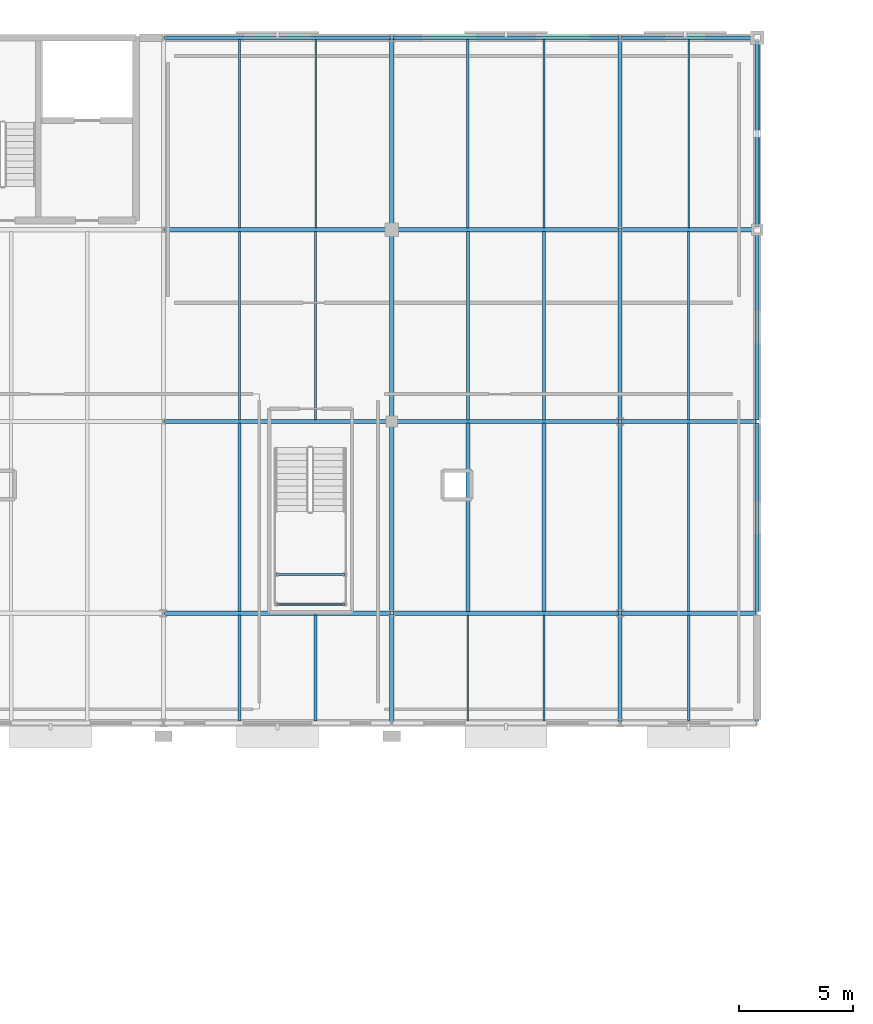
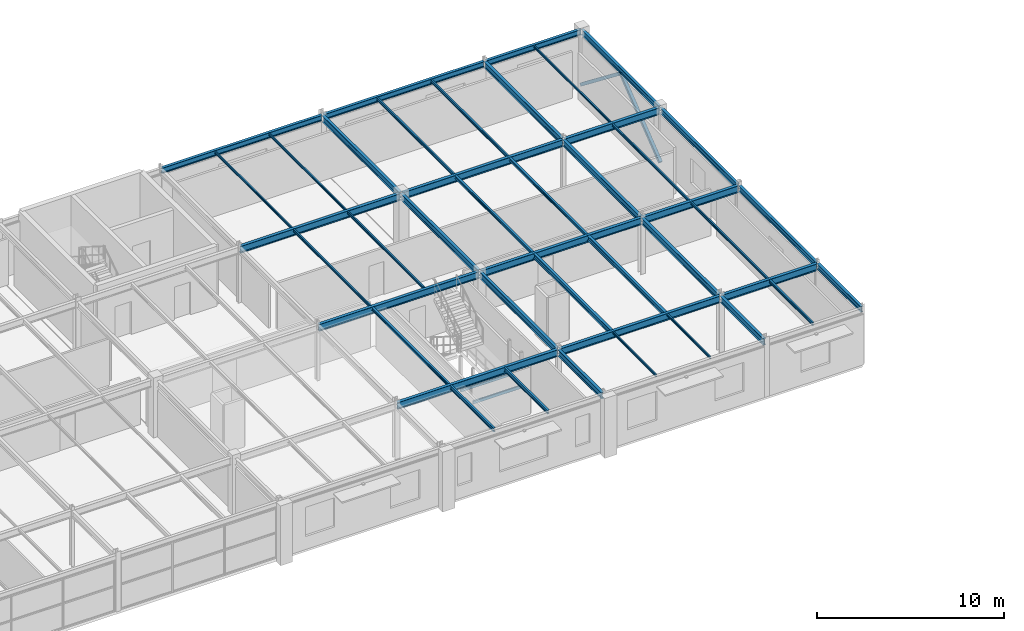
# One storey, part 63 of 98: 45 beams, 2 members.
"""IFC4 building model written with IfcOpenShell, lengths in metres."""

import ifcopenshell
import ifcopenshell.guid

model = None  # the IFC model being written
_history = None  # IfcOwnerHistory: only IFC2X3 demands one
_inside = {}  # id of a spatial element -> (the spatial element, [elements in it])
_under = {}  # id of a project, library or spatial element -> (it, [spatial elements below it])
_declared = {}  # id of a project -> (the project, [libraries it declares])
_typed = {}  # id of a type object -> (the type object, [elements of that type])
_made_of = {}  # id of a material, layer set ... -> (it, [elements and type objects made of it])


def new_model(schema):
    """Start an empty IFC model of exactly this schema.

    Asked for "IFC4X3", IfcOpenShell would pick the latest addendum, in which some entities
    have other attributes; the version numbers below select the first issue.
    IFC2X3 requires an IfcOwnerHistory on every rooted entity: one is made here for all.
    """
    global model, _history
    if schema == "IFC4X3":
        model = ifcopenshell.file(schema_version=(4, 3, 0, 0))
    else:
        model = ifcopenshell.file(schema=schema)
    _inside.clear()
    _under.clear()
    _declared.clear()
    _typed.clear()
    _made_of.clear()
    _history = None
    if model.schema == "IFC2X3":
        org = make("IfcOrganization", Name="unknown")
        user = make(
            "IfcPersonAndOrganization",
            ThePerson=make("IfcPerson", FamilyName="unknown"),
            TheOrganization=org,
        )
        app = make(
            "IfcApplication",
            ApplicationDeveloper=org,
            Version="unknown",
            ApplicationFullName="unknown",
            ApplicationIdentifier="unknown",
        )
        _history = make(
            "IfcOwnerHistory",
            OwningUser=user,
            OwningApplication=app,
            ChangeAction="ADDED",
            CreationDate=0,
        )
    return model


def make(cls, **values):
    """One entity of the class cls with the attributes given. An attribute that is None is left unset."""
    return model.create_entity(
        cls, **{name: value for name, value in values.items() if value is not None}
    )


def rooted(cls, **values):
    """An entity with a GlobalId (a new one), such as an element, a storey or a relation."""
    return make(cls, GlobalId=ifcopenshell.guid.new(), OwnerHistory=_history, **values)


def si_unit(unit_type, name, prefix=None):
    """IfcSIUnit, for example si_unit("LENGTHUNIT", "METRE", prefix="MILLI")."""
    return make("IfcSIUnit", UnitType=unit_type, Prefix=prefix, Name=name)


def derived_unit(unit_type, elements):
    """IfcDerivedUnit: a product of units, each with its exponent."""
    return make(
        "IfcDerivedUnit",
        Elements=[
            make("IfcDerivedUnitElement", Unit=unit, Exponent=power)
            for unit, power in elements
        ],
        UnitType=unit_type,
    )


def assignment(units):
    """IfcUnitAssignment: the units of a project."""
    return None if units is None else make("IfcUnitAssignment", Units=units)


def point(xyz):
    """IfcCartesianPoint."""
    return None if xyz is None else make("IfcCartesianPoint", Coordinates=xyz)


def direction(xyz):
    """IfcDirection."""
    return None if xyz is None else make("IfcDirection", DirectionRatios=xyz)


def frame(location, z_axis=None, x_axis=None):
    """IfcAxis2Placement3D, a coordinate frame: its origin and axes. An axis left out is left unset."""
    return make(
        "IfcAxis2Placement3D",
        Location=point(location),
        Axis=direction(z_axis),
        RefDirection=direction(x_axis),
    )


def frame_2d(location, x_axis=None):
    """IfcAxis2Placement2D, a coordinate frame in the plane: its origin and x axis."""
    return make(
        "IfcAxis2Placement2D", Location=point(location), RefDirection=direction(x_axis)
    )


def origin():
    """The frame at (0, 0, 0) with its axes left unset."""
    return frame((0.0, 0.0, 0.0))


def origin_2d_with_axis():
    """The frame at (0, 0) in the plane with the x axis (1, 0) written out."""
    return frame_2d((0.0, 0.0), x_axis=(1.0, 0.0))


def place(relative_to, where):
    """IfcLocalPlacement: puts the frame where relative to a parent placement (None: the world)."""
    return make(
        "IfcLocalPlacement", PlacementRelTo=relative_to, RelativePlacement=where
    )


def context(
    kind, dimensions, precision=None, world=None, true_north=None, identifier=None
):
    """IfcGeometricRepresentationContext, for example the 3D "Model" context."""
    return make(
        "IfcGeometricRepresentationContext",
        ContextIdentifier=identifier,
        ContextType=kind,
        CoordinateSpaceDimension=dimensions,
        Precision=precision,
        WorldCoordinateSystem=world,
        TrueNorth=true_north,
    )


def subcontext(parent, identifier, kind, view, scale=None):
    """IfcGeometricRepresentationSubContext, for example "Body" below "Model"."""
    return make(
        "IfcGeometricRepresentationSubContext",
        ContextIdentifier=identifier,
        ContextType=kind,
        ParentContext=parent,
        TargetScale=scale,
        TargetView=view,
    )


def project(units=None, contexts=None):
    """IfcProject with its units and contexts."""
    return rooted(
        "IfcProject",
        Name="project",
        RepresentationContexts=contexts,
        UnitsInContext=assignment(units),
    )


def spatial(cls, under=None, at=None, **own):
    """A site, building, storey or space (cls), placed at a placement, below another one or the project."""
    s = rooted(cls, ObjectPlacement=at, **own)
    if under is not None:
        _under.setdefault(under.id(), (under, []))[1].append(s)
    return s


def profile(cls, at=None, kind="AREA", **sizes):
    """A parametric profile (cls). Its sizes go by their IFC names, for example OverallWidth=200.0."""
    return make(cls, ProfileType=kind, Position=at, **sizes)


def hollow_rectangle(**sizes):
    """IfcRectangleHollowProfileDef."""
    return profile("IfcRectangleHollowProfileDef", **sizes)


def i_section(**sizes):
    """IfcIShapeProfileDef."""
    return profile("IfcIShapeProfileDef", **sizes)


def extrude(swept, where, along, depth):
    """IfcExtrudedAreaSolid: the profile swept, set in the frame where, extruded along a direction by depth."""
    return make(
        "IfcExtrudedAreaSolid",
        SweptArea=swept,
        Position=where,
        ExtrudedDirection=direction(along),
        Depth=depth,
    )


def shape(context_of_items, identifier, shape_type, items):
    """IfcShapeRepresentation: the items that make up one representation, for example the "Body"."""
    return make(
        "IfcShapeRepresentation",
        ContextOfItems=context_of_items,
        RepresentationIdentifier=identifier,
        RepresentationType=shape_type,
        Items=items,
    )


def material(Name=None, Category=None):
    """IfcMaterial."""
    return make("IfcMaterial", Name=Name, Category=Category)


def material_profile(
    of_material, cross_section, Name=None, Category=None, Priority=None
):
    """IfcMaterialProfile: a cross section and its material."""
    return make(
        "IfcMaterialProfile",
        Name=Name,
        Material=of_material,
        Profile=cross_section,
        Priority=Priority,
        Category=Category,
    )


def profile_set(profiles, Name=None, composite=None):
    """IfcMaterialProfileSet."""
    return make(
        "IfcMaterialProfileSet",
        Name=Name,
        MaterialProfiles=profiles,
        CompositeProfile=composite,
    )


def made_of(thing, what):
    """Note that an element or type object is made of a material, layer set ...; save() writes the relation."""
    if what is not None:
        _made_of.setdefault(what.id(), (what, []))[1].append(thing)
    return thing


def type_object(cls, material=None, **own):
    """A type object (cls), such as IfcWallType, which elements share."""
    return made_of(rooted(cls, **own), material)


def element(
    cls,
    number,
    at=None,
    inside=None,
    cuts=None,
    type_object=None,
    material=None,
    context=None,
    identifier="Body",
    shape_type=None,
    held_by="IfcProductDefinitionShape",
    body=None,
    shapes=None,
    **own,
):
    """One element of the class cls, such as IfcWall. Its Tag is "e" and its number.

    at: its placement. inside: the storey or other place that contains it. cuts: it is an
    opening in that element (IfcRelVoidsElement). A single representation is given by context,
    identifier, shape_type and body (its items); several are given by shapes. held_by: the class
    of the entity that holds the representations. save() writes the other relations.
    """
    e = rooted(cls, Tag="e%d" % number, ObjectPlacement=at, **own)
    if body is not None:
        shapes = [shape(context, identifier, shape_type, body)]
    if shapes is not None:
        e.Representation = make(held_by, Representations=shapes)
    if inside is not None:
        _inside.setdefault(inside.id(), (inside, []))[1].append(e)
    if cuts is not None:
        rooted(
            "IfcRelVoidsElement", RelatingBuildingElement=cuts, RelatedOpeningElement=e
        )
    if type_object is not None:
        _typed.setdefault(type_object.id(), (type_object, []))[1].append(e)
    return made_of(e, material)


def aggregate(whole, parts):
    """IfcRelAggregates: a whole, such as a stair, and the parts it consists of."""
    return rooted("IfcRelAggregates", RelatingObject=whole, RelatedObjects=parts)


def save(model, path):
    """Write the relations noted so far, then the file.

    IfcRelAggregates (storeys below a building ...), IfcRelContainedInSpatialStructure (elements
    in a storey), IfcRelDefinesByType, IfcRelAssociatesMaterial and IfcRelDeclares: one each for
    every whole, place, type object, material and project.
    """
    for whole, parts in _under.values():
        aggregate(whole, parts)
    for where, things in _inside.values():
        rooted(
            "IfcRelContainedInSpatialStructure",
            RelatedElements=things,
            RelatingStructure=where,
        )
    for kind, things in _typed.values():
        rooted("IfcRelDefinesByType", RelatedObjects=things, RelatingType=kind)
    for what, things in _made_of.values():
        rooted("IfcRelAssociatesMaterial", RelatedObjects=things, RelatingMaterial=what)
    for by, libraries in _declared.values():
        rooted("IfcRelDeclares", RelatingContext=by, RelatedDefinitions=libraries)
    model.write(path)


model = new_model("IFC4")

# Units and contexts
model_context = context("Model", 3, precision=1e-05, world=origin(), true_north=direction((0.0, 1.0)))
body_context = subcontext(model_context, "Body", "Model", "MODEL_VIEW")
ifc_project = project(units=[si_unit("LENGTHUNIT", "METRE"), si_unit("AREAUNIT", "SQUARE_METRE"), si_unit("VOLUMEUNIT", "CUBIC_METRE"), si_unit("PLANEANGLEUNIT", "RADIAN"), si_unit("MASSUNIT", "GRAM", prefix="KILO"), derived_unit("THERMALTRANSMITTANCEUNIT", [(si_unit("POWERUNIT", "WATT"), 1), (si_unit("LENGTHUNIT", "METRE"), -2), (si_unit("THERMODYNAMICTEMPERATUREUNIT", "KELVIN"), -1)])], contexts=[model_context])

# Site, building, storey
site_placement = place(None, origin())
site = spatial("IfcSite", under=ifc_project, at=site_placement, CompositionType="ELEMENT")
building_placement = place(site_placement, origin())
building = spatial("IfcBuilding", under=site, at=building_placement, Name="Cinnabar Yard Market Hall", CompositionType="ELEMENT")
storey_placement = place(building_placement, frame((0.0, 0.0, 4.5)))
storey = spatial("IfcBuildingStorey", under=building, at=storey_placement, Name="L01", CompositionType="ELEMENT", Elevation=4.5)

# Beams
ifc_material_1 = material(Name="Steel Grade 300 (300 MPa)", Category="steel")
ifc_material_profile_1 = material_profile(ifc_material_1, i_section(OverallWidth=0.18994140625, OverallDepth=0.453857421875, WebThickness=0.008544921875, FlangeThickness=0.0126953125, FilletRadius=0.011474609375, at=origin_2d_with_axis()), Name="460UB67.1")
ifc_profile_set_1 = profile_set([ifc_material_profile_1], Name="Steel Grade 300 (300 MPa)")
beam_type_1 = type_object("IfcBeamType", Name="BM-B05", PredefinedType="BEAM", material=ifc_profile_set_1)
for number, where, z_axis, x_axis, name in (
    (1, (136.06005859375, 112.800048828125, 3.423095703125), (1.0, 0.0, 0.0), (0.0, 1.0, 0.0), "V3 L01 Girder X 01059"),
    (2, (136.06005859375, 121.199951171875, 3.423095703125), (1.0, 0.0, 0.0), (0.0, 1.0, 0.0), "V3 L01 Girder X 01060"),
    (3, (136.06005859375, 129.60009765625, 3.423095703125), (1.0, 0.0, 0.0), (0.0, 1.0, 0.0), "V3 L01 Girder X 01061"),
    (4, (146.06005859375, 112.800048828125, 3.423095703125), (1.0, 0.0, 0.0), (0.0, 1.0, 0.0), "V3 L01 Girder X 01064"),
    (5, (146.06005859375, 121.199951171875, 3.423095703125), (1.0, 0.0, 0.0), (0.0, 1.0, 0.0), "V3 L01 Girder X 01065"),
    (6, (146.06005859375, 129.60009765625, 3.423095703125), (1.0, 0.0, 0.0), (0.0, 1.0, 0.0), "V3 L01 Girder X 01066"),
):
    element("IfcBeam", number, at=place(storey_placement, frame(where, z_axis=z_axis, x_axis=x_axis)), inside=storey, type_object=beam_type_1, Name=name, PredefinedType="BEAM", context=body_context, shape_type="SweptSolid", body=[
        extrude(i_section(OverallWidth=0.18994140625, OverallDepth=0.453857421875, WebThickness=0.008544921875, FlangeThickness=0.0126953125, FilletRadius=0.011474609375, at=origin_2d_with_axis()), origin(), (0.0, 0.0, 1.0), 9.8798828125),
    ])
for number, where, z_axis, x_axis, name in (
    (7, (156.06005859375, 112.800048828125, 3.423095703125), (1.0, 0.0, 0.0), (0.0, 1.0, 0.0), "V3 L01 Girder X 01069"),
    (8, (156.06005859375, 121.199951171875, 3.423095703125), (1.0, 0.0, 0.0), (0.0, 1.0, 0.0), "V3 L01 Girder X 01070"),
    (9, (156.06005859375, 129.60009765625, 3.423095703125), (1.0, 0.0, 0.0), (0.0, 1.0, 0.0), "V3 L01 Girder X 01071"),
):
    element("IfcBeam", number, at=place(storey_placement, frame(where, z_axis=z_axis, x_axis=x_axis)), inside=storey, type_object=beam_type_1, Name=name, PredefinedType="BEAM", context=body_context, shape_type="SweptSolid", body=[
        extrude(i_section(OverallWidth=0.18994140625, OverallDepth=0.453857421875, WebThickness=0.008544921875, FlangeThickness=0.0126953125, FilletRadius=0.011474609375, at=origin_2d_with_axis()), origin(), (0.0, 0.0, 1.0), 5.8798828125),
    ])
ifc_material_profile_2 = material_profile(ifc_material_1, i_section(OverallWidth=0.177978515625, OverallDepth=0.406494140625, WebThickness=0.0078125, FlangeThickness=0.0126953125, FilletRadius=0.011474609375, at=origin_2d_with_axis()), Name="410UB59.7")
ifc_profile_set_2 = profile_set([ifc_material_profile_2], Name="Steel Grade 300 (300 MPa)")
beam_type_2 = type_object("IfcBeamType", Name="BM-B06", PredefinedType="BEAM", material=ifc_profile_set_2)
beam_1_placement = place(storey_placement, frame((146.0, 108.06005859375, 3.44677734375), z_axis=(0.0, 1.0, 0.0), x_axis=(-1.0, 0.0, 0.0)))
element("IfcBeam", 10, at=beam_1_placement, inside=storey, type_object=beam_type_2, Name="V3 L01 Girder Y 01105", PredefinedType="BEAM", context=body_context, shape_type="SweptSolid", body=[
    extrude(i_section(OverallWidth=0.177978515625, OverallDepth=0.406494140625, WebThickness=0.0078125, FlangeThickness=0.0126953125, FilletRadius=0.011474609375, at=origin_2d_with_axis()), origin(), (0.0, 0.0, 1.0), 4.679931640625),
])
beam_2_placement = place(storey_placement, frame((146.0, 112.860107421875, 3.44677734375), z_axis=(0.0, 1.0, 0.0), x_axis=(-1.0, 0.0, 0.0)))
element("IfcBeam", 11, at=beam_2_placement, inside=storey, type_object=beam_type_2, Name="V3 L01 Girder Y 01106", PredefinedType="BEAM", context=body_context, shape_type="SweptSolid", body=[
    extrude(i_section(OverallWidth=0.177978515625, OverallDepth=0.406494140625, WebThickness=0.0078125, FlangeThickness=0.0126953125, FilletRadius=0.011474609375, at=origin_2d_with_axis()), origin(), (0.0, 0.0, 1.0), 8.27978515625),
])
for number, where, z_axis, x_axis, name in (
    (12, (146.0, 121.260009765625, 3.44677734375), (0.0, 1.0, 0.0), (-1.0, 0.0, 0.0), "V3 L01 Girder Y 01107"),
    (13, (146.0, 129.659912109375, 3.44677734375), (0.0, 1.0, 0.0), (-1.0, 0.0, 0.0), "V3 L01 Girder Y 01108"),
):
    element("IfcBeam", number, at=place(storey_placement, frame(where, z_axis=z_axis, x_axis=x_axis)), inside=storey, type_object=beam_type_2, Name=name, PredefinedType="BEAM", context=body_context, shape_type="SweptSolid", body=[
        extrude(i_section(OverallWidth=0.177978515625, OverallDepth=0.406494140625, WebThickness=0.0078125, FlangeThickness=0.0126953125, FilletRadius=0.011474609375, at=origin_2d_with_axis()), origin(), (0.0, 0.0, 1.0), 8.280029296875),
    ])
beam_3_placement = place(storey_placement, frame((156.0, 108.06005859375, 3.44677734375), z_axis=(0.0, 1.0, 0.0), x_axis=(-1.0, 0.0, 0.0)))
element("IfcBeam", 14, at=beam_3_placement, inside=storey, type_object=beam_type_2, Name="V3 L01 Girder Y 01109", PredefinedType="BEAM", context=body_context, shape_type="SweptSolid", body=[
    extrude(i_section(OverallWidth=0.177978515625, OverallDepth=0.406494140625, WebThickness=0.0078125, FlangeThickness=0.0126953125, FilletRadius=0.011474609375, at=origin_2d_with_axis()), origin(), (0.0, 0.0, 1.0), 4.679931640625),
])
beam_4_placement = place(storey_placement, frame((156.0, 112.860107421875, 3.44677734375), z_axis=(0.0, 1.0, 0.0), x_axis=(-1.0, 0.0, 0.0)))
element("IfcBeam", 15, at=beam_4_placement, inside=storey, type_object=beam_type_2, Name="V3 L01 Girder Y 01110", PredefinedType="BEAM", context=body_context, shape_type="SweptSolid", body=[
    extrude(i_section(OverallWidth=0.177978515625, OverallDepth=0.406494140625, WebThickness=0.0078125, FlangeThickness=0.0126953125, FilletRadius=0.011474609375, at=origin_2d_with_axis()), origin(), (0.0, 0.0, 1.0), 8.27978515625),
])
for number, where, z_axis, x_axis, name in (
    (16, (156.0, 121.260009765625, 3.44677734375), (0.0, 1.0, 0.0), (-1.0, 0.0, 0.0), "V3 L01 Girder Y 01111"),
    (17, (156.0, 129.659912109375, 3.44677734375), (0.0, 1.0, 0.0), (-1.0, 0.0, 0.0), "V3 L01 Girder Y 01112"),
):
    element("IfcBeam", number, at=place(storey_placement, frame(where, z_axis=z_axis, x_axis=x_axis)), inside=storey, type_object=beam_type_2, Name=name, PredefinedType="BEAM", context=body_context, shape_type="SweptSolid", body=[
        extrude(i_section(OverallWidth=0.177978515625, OverallDepth=0.406494140625, WebThickness=0.0078125, FlangeThickness=0.0126953125, FilletRadius=0.011474609375, at=origin_2d_with_axis()), origin(), (0.0, 0.0, 1.0), 8.280029296875),
    ])
ifc_material_profile_3 = material_profile(ifc_material_1, i_section(OverallWidth=0.1240234375, OverallDepth=0.248291015625, WebThickness=0.0048828125, FlangeThickness=0.008056640625, FilletRadius=0.0087890625, at=origin_2d_with_axis()), Name="250UB25.7")
ifc_profile_set_3 = profile_set([ifc_material_profile_3], Name="Steel Grade 300 (300 MPa)")
beam_type_3 = type_object("IfcBeamType", Name="BM-J06", PredefinedType="JOIST", material=ifc_profile_set_3)
for number, where, z_axis, x_axis, name in (
    (18, (139.333251953125, 108.074951171875, 3.52587890625), (0.0, 1.0, 0.0), (-1.0, 0.0, 0.0), "V3 L01 Joist 01168"),
    (19, (142.666748046875, 108.074951171875, 3.52587890625), (0.0, 1.0, 0.0), (-1.0, 0.0, 0.0), "V3 L01 Joist 01172"),
):
    element("IfcBeam", number, at=place(storey_placement, frame(where, z_axis=z_axis, x_axis=x_axis)), inside=storey, type_object=beam_type_3, Name=name, PredefinedType="JOIST", context=body_context, shape_type="SweptSolid", body=[
        extrude(i_section(OverallWidth=0.1240234375, OverallDepth=0.248291015625, WebThickness=0.0048828125, FlangeThickness=0.008056640625, FilletRadius=0.0087890625, at=origin_2d_with_axis()), origin(), (0.0, 0.0, 1.0), 4.650146484375),
    ])
ifc_material_profile_4 = material_profile(ifc_material_1, i_section(OverallWidth=0.133056640625, OverallDepth=0.203125, WebThickness=0.005859375, FlangeThickness=0.0078125, FilletRadius=0.0087890625, at=origin_2d_with_axis()), Name="200UB25.4")
ifc_profile_set_4 = profile_set([ifc_material_profile_4], Name="Steel Grade 300 (300 MPa)")
beam_type_4 = type_object("IfcBeamType", Name="BM-J07", PredefinedType="JOIST", material=ifc_profile_set_4)
beam_5_placement = place(storey_placement, frame((139.333251953125, 112.875, 3.54833984375), z_axis=(0.0, 1.0, 0.0), x_axis=(-1.0, 0.0, 0.0)))
element("IfcBeam", 20, at=beam_5_placement, inside=storey, type_object=beam_type_4, Name="V3 L01 Joist 01169", PredefinedType="JOIST", context=body_context, shape_type="SweptSolid", body=[
    extrude(i_section(OverallWidth=0.133056640625, OverallDepth=0.203125, WebThickness=0.005859375, FlangeThickness=0.0078125, FilletRadius=0.0087890625, at=origin_2d_with_axis()), origin(), (0.0, 0.0, 1.0), 8.25),
])
ifc_material_profile_5 = material_profile(ifc_material_1, i_section(OverallWidth=0.090087890625, OverallDepth=0.178955078125, WebThickness=0.006103515625, FlangeThickness=0.009521484375, FilletRadius=0.0087890625, at=origin_2d_with_axis()), Name="180UB22.2")
ifc_profile_set_5 = profile_set([ifc_material_profile_5], Name="Steel Grade 300 (300 MPa)")
beam_type_5 = type_object("IfcBeamType", Name="BM-J08", PredefinedType="JOIST", material=ifc_profile_set_5)
for number, where, z_axis, x_axis, name in (
    (21, (139.333251953125, 121.27490234375, 3.560546875), (0.0, 1.0, 0.0), (-1.0, 0.0, 0.0), "V3 L01 Joist 01170"),
    (22, (142.666748046875, 121.27490234375, 3.560546875), (0.0, 1.0, 0.0), (-1.0, 0.0, 0.0), "V3 L01 Joist 01173"),
):
    element("IfcBeam", number, at=place(storey_placement, frame(where, z_axis=z_axis, x_axis=x_axis)), inside=storey, type_object=beam_type_5, Name=name, PredefinedType="JOIST", context=body_context, shape_type="SweptSolid", body=[
        extrude(i_section(OverallWidth=0.090087890625, OverallDepth=0.178955078125, WebThickness=0.006103515625, FlangeThickness=0.009521484375, FilletRadius=0.0087890625, at=origin_2d_with_axis()), origin(), (0.0, 0.0, 1.0), 8.25),
    ])
ifc_material_profile_6 = material_profile(ifc_material_1, i_section(OverallWidth=0.074951171875, OverallDepth=0.155029296875, WebThickness=0.006103515625, FlangeThickness=0.009521484375, FilletRadius=0.008056640625, at=origin_2d_with_axis()), Name="150UB18.0")
ifc_profile_set_6 = profile_set([ifc_material_profile_6], Name="Steel Grade 300 (300 MPa)")
beam_type_6 = type_object("IfcBeamType", Name="BM-J09", PredefinedType="JOIST", material=ifc_profile_set_6)
for number, where, z_axis, x_axis, name in (
    (23, (139.333251953125, 129.675048828125, 3.572509765625), (0.0, 1.0, 0.0), (-1.0, 0.0, 0.0), "V3 L01 Joist 01171"),
    (24, (142.666748046875, 129.675048828125, 3.572509765625), (0.0, 1.0, 0.0), (-1.0, 0.0, 0.0), "V3 L01 Joist 01174"),
):
    element("IfcBeam", number, at=place(storey_placement, frame(where, z_axis=z_axis, x_axis=x_axis)), inside=storey, type_object=beam_type_6, Name=name, PredefinedType="JOIST", context=body_context, shape_type="SweptSolid", body=[
        extrude(i_section(OverallWidth=0.074951171875, OverallDepth=0.155029296875, WebThickness=0.006103515625, FlangeThickness=0.009521484375, FilletRadius=0.008056640625, at=origin_2d_with_axis()), origin(), (0.0, 0.0, 1.0), 8.25),
    ])
for number, where, z_axis, x_axis, name in (
    (25, (149.333251953125, 108.074951171875, 3.572509765625), (0.0, 1.0, 0.0), (-1.0, 0.0, 0.0), "V3 L01 Joist 01175"),
    (26, (152.666748046875, 108.074951171875, 3.572509765625), (0.0, 1.0, 0.0), (-1.0, 0.0, 0.0), "V3 L01 Joist 01179"),
):
    element("IfcBeam", number, at=place(storey_placement, frame(where, z_axis=z_axis, x_axis=x_axis)), inside=storey, type_object=beam_type_6, Name=name, PredefinedType="JOIST", context=body_context, shape_type="SweptSolid", body=[
        extrude(i_section(OverallWidth=0.074951171875, OverallDepth=0.155029296875, WebThickness=0.006103515625, FlangeThickness=0.009521484375, FilletRadius=0.008056640625, at=origin_2d_with_axis()), origin(), (0.0, 0.0, 1.0), 4.650146484375),
    ])
ifc_material_profile_7 = material_profile(ifc_material_1, i_section(OverallWidth=0.1650390625, OverallDepth=0.303955078125, WebThickness=0.006103515625, FlangeThickness=0.01025390625, FilletRadius=0.011474609375, at=origin_2d_with_axis()), Name="310UB40.4")
ifc_profile_set_7 = profile_set([ifc_material_profile_7], Name="Steel Grade 300 (300 MPa)")
beam_type_7 = type_object("IfcBeamType", Name="BM-J10", PredefinedType="JOIST", material=ifc_profile_set_7)
for number, where, z_axis, x_axis, name in (
    (27, (149.333251953125, 112.875, 3.498046875), (0.0, 1.0, 0.0), (-1.0, 0.0, 0.0), "V3 L01 Joist 01176"),
    (28, (152.666748046875, 112.875, 3.498046875), (0.0, 1.0, 0.0), (-1.0, 0.0, 0.0), "V3 L01 Joist 01180"),
):
    element("IfcBeam", number, at=place(storey_placement, frame(where, z_axis=z_axis, x_axis=x_axis)), inside=storey, type_object=beam_type_7, Name=name, PredefinedType="JOIST", context=body_context, shape_type="SweptSolid", body=[
        extrude(i_section(OverallWidth=0.1650390625, OverallDepth=0.303955078125, WebThickness=0.006103515625, FlangeThickness=0.01025390625, FilletRadius=0.011474609375, at=origin_2d_with_axis()), origin(), (0.0, 0.0, 1.0), 8.25),
    ])
ifc_material_profile_8 = material_profile(ifc_material_1, i_section(OverallWidth=0.133056640625, OverallDepth=0.20166015625, WebThickness=0.0048828125, FlangeThickness=0.0078125, FilletRadius=0.0087890625, at=origin_2d_with_axis()), Name="200UB22.3")
ifc_profile_set_8 = profile_set([ifc_material_profile_8], Name="Steel Grade 300 (300 MPa)")
beam_type_8 = type_object("IfcBeamType", Name="BM-J11", PredefinedType="JOIST", material=ifc_profile_set_8)
for number, where, z_axis, x_axis, name in (
    (29, (149.333251953125, 121.27490234375, 3.54931640625), (0.0, 1.0, 0.0), (-1.0, 0.0, 0.0), "V3 L01 Joist 01177"),
    (30, (152.666748046875, 121.27490234375, 3.54931640625), (0.0, 1.0, 0.0), (-1.0, 0.0, 0.0), "V3 L01 Joist 01181"),
):
    element("IfcBeam", number, at=place(storey_placement, frame(where, z_axis=z_axis, x_axis=x_axis)), inside=storey, type_object=beam_type_8, Name=name, PredefinedType="JOIST", context=body_context, shape_type="SweptSolid", body=[
        extrude(i_section(OverallWidth=0.133056640625, OverallDepth=0.20166015625, WebThickness=0.0048828125, FlangeThickness=0.0078125, FilletRadius=0.0087890625, at=origin_2d_with_axis()), origin(), (0.0, 0.0, 1.0), 8.25),
    ])
ifc_material_profile_9 = material_profile(ifc_material_1, i_section(OverallWidth=0.09912109375, OverallDepth=0.197998046875, WebThickness=0.00439453125, FlangeThickness=0.007080078125, FilletRadius=0.0087890625, at=origin_2d_with_axis()), Name="200UB18.2")
ifc_profile_set_9 = profile_set([ifc_material_profile_9], Name="Steel Grade 300 (300 MPa)")
beam_type_9 = type_object("IfcBeamType", Name="BM-J12", PredefinedType="JOIST", material=ifc_profile_set_9)
for number, where, z_axis, x_axis, name in (
    (31, (149.333251953125, 129.675048828125, 3.551025390625), (0.0, 1.0, 0.0), (-1.0, 0.0, 0.0), "V3 L01 Joist 01178"),
    (32, (152.666748046875, 129.675048828125, 3.551025390625), (0.0, 1.0, 0.0), (-1.0, 0.0, 0.0), "V3 L01 Joist 01182"),
):
    element("IfcBeam", number, at=place(storey_placement, frame(where, z_axis=z_axis, x_axis=x_axis)), inside=storey, type_object=beam_type_9, Name=name, PredefinedType="JOIST", context=body_context, shape_type="SweptSolid", body=[
        extrude(i_section(OverallWidth=0.09912109375, OverallDepth=0.197998046875, WebThickness=0.00439453125, FlangeThickness=0.007080078125, FilletRadius=0.0087890625, at=origin_2d_with_axis()), origin(), (0.0, 0.0, 1.0), 8.25),
    ])
beam_6_placement = place(storey_placement, frame((159.0, 108.074951171875, 3.551025390625), z_axis=(0.0, 1.0, 0.0), x_axis=(-1.0, 0.0, 0.0)))
element("IfcBeam", 33, at=beam_6_placement, inside=storey, type_object=beam_type_9, Name="V3 L01 Joist 01183", PredefinedType="JOIST", context=body_context, shape_type="SweptSolid", body=[
    extrude(i_section(OverallWidth=0.09912109375, OverallDepth=0.197998046875, WebThickness=0.00439453125, FlangeThickness=0.007080078125, FilletRadius=0.0087890625, at=origin_2d_with_axis()), origin(), (0.0, 0.0, 1.0), 4.650146484375),
])
ifc_material_profile_10 = material_profile(ifc_material_1, i_section(OverallWidth=0.090087890625, OverallDepth=0.175048828125, WebThickness=0.0048828125, FlangeThickness=0.008056640625, FilletRadius=0.0087890625, at=origin_2d_with_axis()), Name="180UB18.1")
ifc_profile_set_10 = profile_set([ifc_material_profile_10], Name="Steel Grade 300 (300 MPa)")
beam_type_10 = type_object("IfcBeamType", Name="BM-J13", PredefinedType="JOIST", material=ifc_profile_set_10)
beam_7_placement = place(storey_placement, frame((159.0, 112.875, 3.5625), z_axis=(0.0, 1.0, 0.0), x_axis=(-1.0, 0.0, 0.0)))
element("IfcBeam", 34, at=beam_7_placement, inside=storey, type_object=beam_type_10, Name="V3 L01 Joist 01184", PredefinedType="JOIST", context=body_context, shape_type="SweptSolid", body=[
    extrude(i_section(OverallWidth=0.090087890625, OverallDepth=0.175048828125, WebThickness=0.0048828125, FlangeThickness=0.008056640625, FilletRadius=0.0087890625, at=origin_2d_with_axis()), origin(), (0.0, 0.0, 1.0), 8.25),
])
ifc_material_profile_11 = material_profile(ifc_material_1, i_section(OverallWidth=0.090087890625, OverallDepth=0.173095703125, WebThickness=0.00439453125, FlangeThickness=0.007080078125, FilletRadius=0.0087890625, at=origin_2d_with_axis()), Name="180UB16.1")
ifc_profile_set_11 = profile_set([ifc_material_profile_11], Name="Steel Grade 300 (300 MPa)")
beam_type_11 = type_object("IfcBeamType", Name="BM-J14", PredefinedType="JOIST", material=ifc_profile_set_11)
beam_8_placement = place(storey_placement, frame((159.0, 121.27490234375, 3.5634765625), z_axis=(0.0, 1.0, 0.0), x_axis=(-1.0, 0.0, 0.0)))
element("IfcBeam", 35, at=beam_8_placement, inside=storey, type_object=beam_type_11, Name="V3 L01 Joist 01185", PredefinedType="JOIST", context=body_context, shape_type="SweptSolid", body=[
    extrude(i_section(OverallWidth=0.090087890625, OverallDepth=0.173095703125, WebThickness=0.00439453125, FlangeThickness=0.007080078125, FilletRadius=0.0087890625, at=origin_2d_with_axis()), origin(), (0.0, 0.0, 1.0), 8.25),
])
ifc_material_profile_12 = material_profile(ifc_material_1, i_section(OverallWidth=0.074951171875, OverallDepth=0.14990234375, WebThickness=0.0048828125, FlangeThickness=0.007080078125, FilletRadius=0.008056640625, at=origin_2d_with_axis()), Name="150UB14.0")
ifc_profile_set_12 = profile_set([ifc_material_profile_12], Name="Steel Grade 300 (300 MPa)")
beam_type_12 = type_object("IfcBeamType", Name="BM-J15", PredefinedType="JOIST", material=ifc_profile_set_12)
beam_9_placement = place(storey_placement, frame((159.0, 129.675048828125, 3.574951171875), z_axis=(0.0, 1.0, 0.0), x_axis=(-1.0, 0.0, 0.0)))
element("IfcBeam", 36, at=beam_9_placement, inside=storey, type_object=beam_type_12, Name="V3 L01 Joist 01186", PredefinedType="JOIST", context=body_context, shape_type="SweptSolid", body=[
    extrude(i_section(OverallWidth=0.074951171875, OverallDepth=0.14990234375, WebThickness=0.0048828125, FlangeThickness=0.007080078125, FilletRadius=0.008056640625, at=origin_2d_with_axis()), origin(), (0.0, 0.0, 1.0), 8.25),
])
ifc_material_2 = material(Name="Cold-formed steel C350L0", Category="steel")
ifc_material_profile_13 = material_profile(ifc_material_2, hollow_rectangle(XDim=0.10009765625, YDim=0.199951171875, WallThickness=0.006103515625, InnerFilletRadius=0.006103515625, OuterFilletRadius=0.011962890625, at=origin_2d_with_axis()), Name="200x100x6.0RHS")
ifc_profile_set_13 = profile_set([ifc_material_profile_13], Name="Cold-formed steel C350L0")
beam_type_13 = type_object("IfcBeamType", Name="BM-LN01", PredefinedType="LINTEL", material=ifc_profile_set_13)
for number, where, z_axis, x_axis, name in (
    (37, (140.949951171875, 113.199951171875, 1.64990234375), (1.0, 0.0, 0.0), (0.0, 1.0, 0.0), "Feature Stair Landing Beam S ST-F6 L01"),
    (38, (140.949951171875, 114.5, 1.64990234375), (1.0, 0.0, 0.0), (0.0, 1.0, 0.0), "Feature Stair Landing Beam N ST-F6 L01"),
):
    element("IfcBeam", number, at=place(storey_placement, frame(where, z_axis=z_axis, x_axis=x_axis)), inside=storey, type_object=beam_type_13, Name=name, PredefinedType="LINTEL", context=body_context, shape_type="SweptSolid", body=[
        extrude(hollow_rectangle(XDim=0.10009765625, YDim=0.199951171875, WallThickness=0.006103515625, InnerFilletRadius=0.006103515625, OuterFilletRadius=0.011962890625, at=origin_2d_with_axis()), origin(), (0.0, 0.0, 1.0), 3.0),
    ])
ifc_material_profile_14 = material_profile(ifc_material_1, i_section(OverallWidth=0.172119140625, OverallDepth=0.358642578125, WebThickness=0.008056640625, FlangeThickness=0.012939453125, FilletRadius=0.011474609375, at=origin_2d_with_axis()), Name="360UB56.7")
ifc_profile_set_14 = profile_set([ifc_material_profile_14], Name="Steel Grade 300 (300 MPa)")
beam_type_14 = type_object("IfcBeamType", Name="BM-SP02E", PredefinedType="SPANDREL", material=ifc_profile_set_14)
for number, where, z_axis, x_axis, name in (
    (39, (136.06005859375, 138.0, 3.470703125), (1.0, 0.0, 0.0), (0.0, 1.0, 0.0), "V3 L01 Girder X 01062"),
    (40, (146.06005859375, 138.0, 3.470703125), (1.0, 0.0, 0.0), (0.0, 1.0, 0.0), "V3 L01 Girder X 01067"),
):
    element("IfcBeam", number, at=place(storey_placement, frame(where, z_axis=z_axis, x_axis=x_axis)), inside=storey, type_object=beam_type_14, Name=name, PredefinedType="SPANDREL", context=body_context, shape_type="SweptSolid", body=[
        extrude(i_section(OverallWidth=0.172119140625, OverallDepth=0.358642578125, WebThickness=0.008056640625, FlangeThickness=0.012939453125, FilletRadius=0.011474609375, at=origin_2d_with_axis()), origin(), (0.0, 0.0, 1.0), 9.8798828125),
    ])
beam_10_placement = place(storey_placement, frame((156.06005859375, 138.0, 3.470703125), z_axis=(1.0, 0.0, 0.0), x_axis=(0.0, 1.0, 0.0)))
element("IfcBeam", 41, at=beam_10_placement, inside=storey, type_object=beam_type_14, Name="V3 L01 Girder X 01072", PredefinedType="SPANDREL", context=body_context, shape_type="SweptSolid", body=[
    extrude(i_section(OverallWidth=0.172119140625, OverallDepth=0.358642578125, WebThickness=0.008056640625, FlangeThickness=0.012939453125, FilletRadius=0.011474609375, at=origin_2d_with_axis()), origin(), (0.0, 0.0, 1.0), 5.8798828125),
])
beam_11_placement = place(storey_placement, frame((162.0, 108.06005859375, 3.470703125), z_axis=(0.0, 1.0, 0.0), x_axis=(-1.0, 0.0, 0.0)))
element("IfcBeam", 42, at=beam_11_placement, inside=storey, type_object=beam_type_14, Name="V3 L01 Girder Y 01113", PredefinedType="SPANDREL", context=body_context, shape_type="SweptSolid", body=[
    extrude(i_section(OverallWidth=0.172119140625, OverallDepth=0.358642578125, WebThickness=0.008056640625, FlangeThickness=0.012939453125, FilletRadius=0.011474609375, at=origin_2d_with_axis()), origin(), (0.0, 0.0, 1.0), 4.679931640625),
])
beam_12_placement = place(storey_placement, frame((162.0, 112.860107421875, 3.470703125), z_axis=(0.0, 1.0, 0.0), x_axis=(-1.0, 0.0, 0.0)))
element("IfcBeam", 43, at=beam_12_placement, inside=storey, type_object=beam_type_14, Name="V3 L01 Girder Y 01114", PredefinedType="SPANDREL", context=body_context, shape_type="SweptSolid", body=[
    extrude(i_section(OverallWidth=0.172119140625, OverallDepth=0.358642578125, WebThickness=0.008056640625, FlangeThickness=0.012939453125, FilletRadius=0.011474609375, at=origin_2d_with_axis()), origin(), (0.0, 0.0, 1.0), 8.27978515625),
])
for number, where, z_axis, x_axis, name in (
    (44, (162.0, 121.260009765625, 3.470703125), (0.0, 1.0, 0.0), (-1.0, 0.0, 0.0), "V3 L01 Girder Y 01115"),
    (45, (162.0, 129.659912109375, 3.470703125), (0.0, 1.0, 0.0), (-1.0, 0.0, 0.0), "V3 L01 Girder Y 01116"),
):
    element("IfcBeam", number, at=place(storey_placement, frame(where, z_axis=z_axis, x_axis=x_axis)), inside=storey, type_object=beam_type_14, Name=name, PredefinedType="SPANDREL", context=body_context, shape_type="SweptSolid", body=[
        extrude(i_section(OverallWidth=0.172119140625, OverallDepth=0.358642578125, WebThickness=0.008056640625, FlangeThickness=0.012939453125, FilletRadius=0.011474609375, at=origin_2d_with_axis()), origin(), (0.0, 0.0, 1.0), 8.280029296875),
    ])

# Members
ifc_material_profile_15 = material_profile(ifc_material_2, hollow_rectangle(XDim=0.199951171875, YDim=0.199951171875, WallThickness=0.008056640625, InnerFilletRadius=0.008056640625, OuterFilletRadius=0.01611328125, at=origin_2d_with_axis()), Name="200x200x8.0SHS")
ifc_profile_set_15 = profile_set([ifc_material_profile_15], Name="Cold-formed steel C350L0")
member_type = type_object("IfcMemberType", Name="MB-BR01E", PredefinedType="BRACE", material=ifc_profile_set_15)
for number, where, z_axis, x_axis, name in (
    (46, (162.0, 129.60009765625, 0.0), (0.0, 0.789043399971, 0.614337458537), (-1.0, 0.0, 0.0), "Chevron Brace CBF-V3-E1 A"),
    (47, (162.0, 138.0, 0.0), (0.0, -0.789043399971, 0.614337458537), (1.0, 0.0, 0.0), "Chevron Brace CBF-V3-E1 B"),
):
    element("IfcMember", number, at=place(storey_placement, frame(where, z_axis=z_axis, x_axis=x_axis)), inside=storey, type_object=member_type, Name=name, PredefinedType="BRACE", context=body_context, shape_type="SweptSolid", body=[
        extrude(hollow_rectangle(XDim=0.199951171875, YDim=0.199951171875, WallThickness=0.008056640625, InnerFilletRadius=0.008056640625, OuterFilletRadius=0.01611328125, at=origin_2d_with_axis()), origin(), (0.0, 0.0, 1.0), 5.32275390625),
    ])

save(model, "model.ifc")
